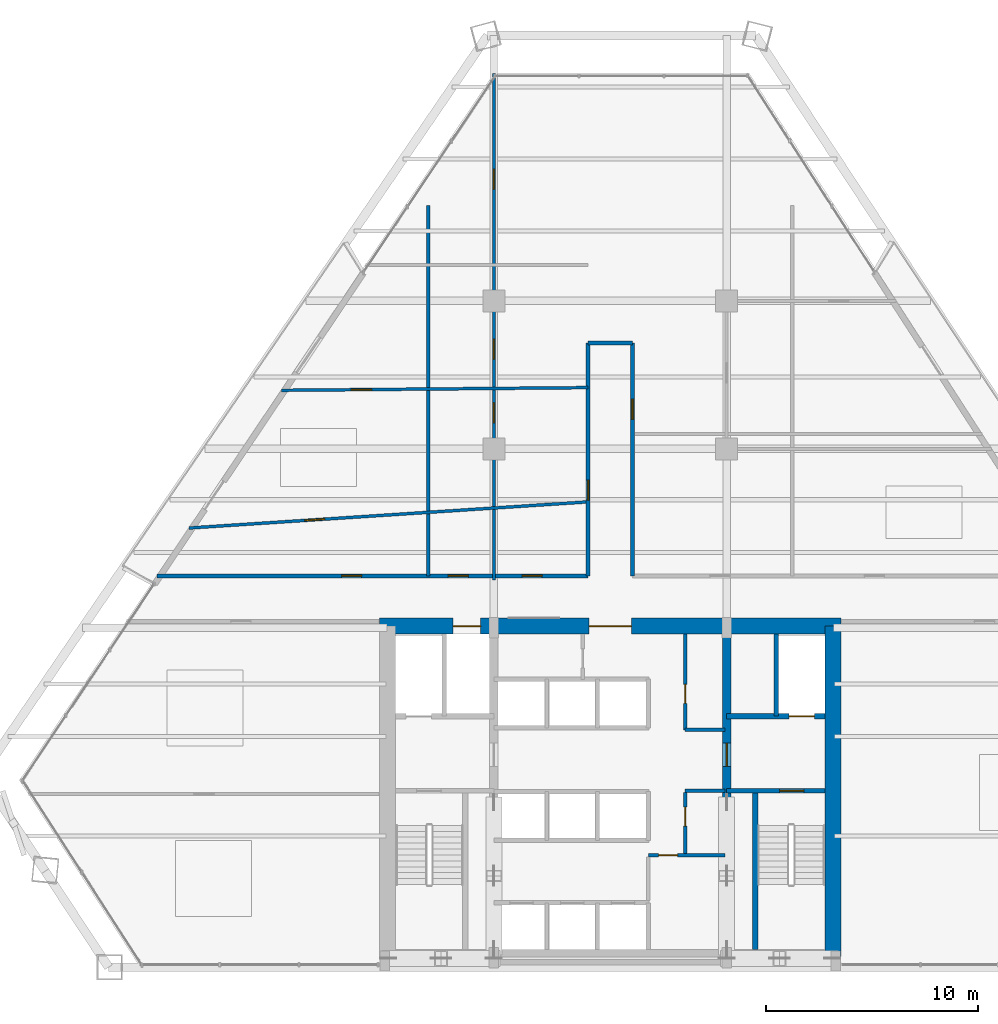
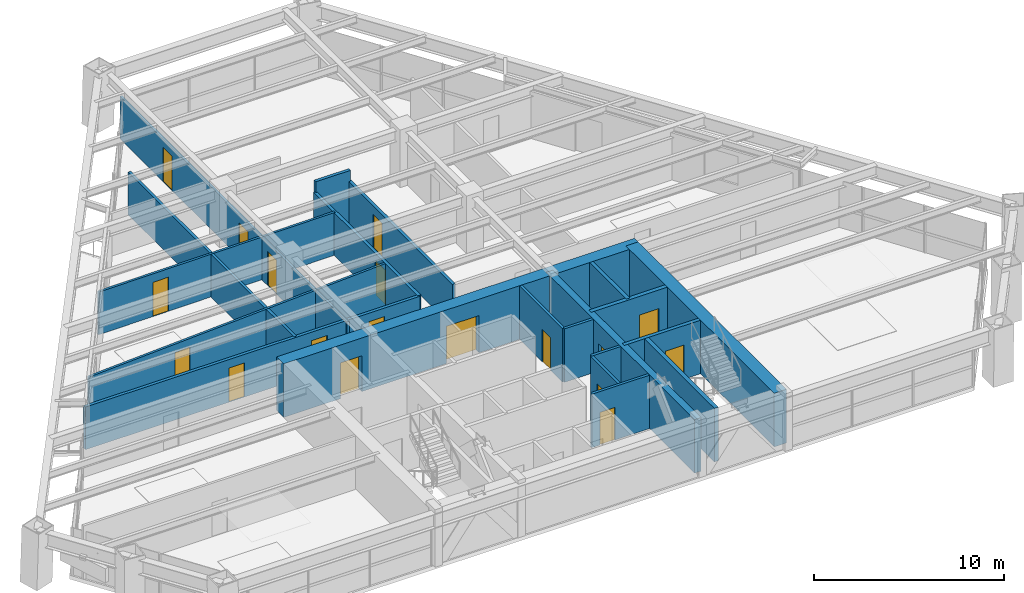
# One storey, part 11 of 14: 20 walls, 18 doors, 18 openings.
"""IFC4 building model written with IfcOpenShell, lengths in metres."""

from ifc_helpers import new_model, si_unit, direction, frame, frame_2d, origin, place, context, subcontext, project, spatial, rectangle, extrude, source, transform, mapped, material, layer, layer_set, type_object, type_shapes, element, fill, save


model = new_model("IFC4")

# Units and contexts
model_context = context("Model", 3, precision=1e-05, world=origin(), true_north=direction((0.0, 1.0)))
body_context = subcontext(model_context, "Body", "Model", "MODEL_VIEW")
ifc_project = project(units=[si_unit("LENGTHUNIT", "METRE"), si_unit("AREAUNIT", "SQUARE_METRE"), si_unit("VOLUMEUNIT", "CUBIC_METRE"), si_unit("PLANEANGLEUNIT", "RADIAN"), si_unit("MASSUNIT", "GRAM", prefix="KILO")], contexts=[model_context])

# Site, building, storey
site_placement = place(None, origin())
site = spatial("IfcSite", under=ifc_project, at=site_placement, CompositionType="ELEMENT")
building_placement = place(site_placement, origin())
building = spatial("IfcBuilding", under=site, at=building_placement, Name="Varnakhor Terracotta Tower", CompositionType="ELEMENT")
storey_placement = place(building_placement, frame((0.0, 0.0, 98.800048828125)))
storey = spatial("IfcBuildingStorey", under=building, at=storey_placement, Name="L24", CompositionType="ELEMENT", Elevation=98.800048828125)

# Wall, openings, doors
ifc_material_1 = material(Name="Concrete C60/75", Category="concrete")
ifc_layer_1 = layer(ifc_material_1, 0.75, Name="Concrete C60/75")
ifc_layer_set_1 = layer_set([ifc_layer_1], Name="Concrete C60/75")
wall_type_1 = type_object("IfcWallType", Name="WAL-CORE-750", PredefinedType="SHEAR", material=ifc_layer_set_1)
wall_1_placement = place(storey_placement, frame((-10.89990234375, 16.125, 0.0), z_axis=(0.0, 0.0, 1.0), x_axis=(1.0, 0.0, 0.0)))
wall_1 = element("IfcWall", 1, at=wall_1_placement, inside=storey, type_object=wall_type_1, Name="L24 North Core Shear Wall", PredefinedType="SHEAR", context=body_context, shape_type="SweptSolid", body=[
    extrude(rectangle(XDim=21.7998046875, YDim=0.75, at=frame_2d((10.89990234375, 0.0))), origin(), (0.0, 0.0, 1.0), 3.449951171875),
])
opening_1_placement = place(wall_1_placement, frame((3.469970703125, 0.0, 0.0)))
opening_1 = element("IfcOpeningElement", 2, at=opening_1_placement, cuts=wall_1, Name="Opening LD-03", PredefinedType="OPENING", context=body_context, shape_type="SweptSolid", body=[
    extrude(rectangle(XDim=1.300048828125, YDim=2.300048828125, at=frame_2d((0.64990234375, 1.14990234375))), frame((0.0, 0.385009765625, 0.0), z_axis=(0.0, -1.0, 0.0), x_axis=(1.0, 0.0, 0.0)), (0.0, 0.0, 1.0), 0.77001953125),
])
opening_2_placement = place(wall_1_placement, frame((9.89990234375, 0.0, 0.0)))
opening_2 = element("IfcOpeningElement", 3, at=opening_2_placement, cuts=wall_1, Name="Opening DR-32", PredefinedType="OPENING", context=body_context, shape_type="SweptSolid", body=[
    extrude(rectangle(XDim=2.0, YDim=2.39990234375, at=frame_2d((1.0, 1.199951171875))), frame((0.0, 0.385009765625, 0.0), z_axis=(0.0, -1.0, 0.0), x_axis=(1.0, 0.0, 0.0)), (0.0, 0.0, 1.0), 0.77001953125),
])
ifc_material_2 = material(Name="Heavy-Duty Goods Sliding Lift Landing Door", Category="steel")
door_type_1 = type_object("IfcDoorType", Name="LD-SRV-1300X2300", OperationType="NOTDEFINED", PredefinedType="DOOR", material=ifc_material_2)
shared_shape_1 = source(origin(), body_context, "Body", "SweptSolid", [
    extrude(rectangle(XDim=1.300048828125, YDim=2.300048828125, at=frame_2d((0.64990234375, 1.14990234375))), frame((0.0, 0.02490234375, 0.0), z_axis=(0.0, -1.0, 0.0), x_axis=(1.0, 0.0, 0.0)), (0.0, 0.0, 1.0), 0.050048828125),
])
type_shapes(door_type_1, [shared_shape_1])
door_1_placement = place(opening_1_placement, origin())
door_1 = element("IfcDoor", 4, at=door_1_placement, inside=storey, type_object=door_type_1, Name="L24 Service Lift SVL-1 Landing Door", OperationType="SLIDING_TO_RIGHT", OverallHeight=2.300048828125, OverallWidth=1.300048828125, PredefinedType="DOOR", context=body_context, shape_type="MappedRepresentation", body=[
    mapped(shared_shape_1, transform((0.0, 0.0, 0.0), scale=1.0)),
])
fill(opening_1, door_1)
ifc_material_3 = material(Name="Acoustic Double Assembly Fire Door", Category="wood")
door_type_2 = type_object("IfcDoorType", Name="DR-HALL-2000X2400", OperationType="NOTDEFINED", PredefinedType="DOOR", material=ifc_material_3)
shared_shape_2 = source(origin(), body_context, "Body", "SweptSolid", [
    extrude(rectangle(XDim=2.0, YDim=2.39990234375, at=frame_2d((1.0, 1.199951171875))), frame((0.0, 0.02490234375, 0.0), z_axis=(0.0, -1.0, 0.0), x_axis=(1.0, 0.0, 0.0)), (0.0, 0.0, 1.0), 0.050048828125),
])
type_shapes(door_type_2, [shared_shape_2])
door_2_placement = place(opening_2_placement, origin())
door_2 = element("IfcDoor", 5, at=door_2_placement, inside=storey, type_object=door_type_2, Name="L24 Core Main Lobby Double Door", OperationType="DOUBLE_DOOR_SINGLE_SWING", OverallHeight=2.39990234375, OverallWidth=2.0, PredefinedType="DOOR", context=body_context, shape_type="MappedRepresentation", body=[
    mapped(shared_shape_2, transform((0.0, 0.0, 0.0), scale=1.0)),
])
fill(opening_2, door_2)

# Wall
wall_2_placement = place(storey_placement, frame((10.52490234375, 0.47509765625, 0.0), z_axis=(0.0, 0.0, 1.0), x_axis=(0.0, 1.0, 0.0)))
element("IfcWall", 6, at=wall_2_placement, inside=storey, type_object=wall_type_1, Name="L24 East Core Shear Wall", PredefinedType="SHEAR", context=body_context, shape_type="SweptSolid", body=[
    extrude(rectangle(XDim=15.64990234375, YDim=0.75, at=frame_2d((7.824951171875, 0.0))), origin(), (0.0, 0.0, 1.0), 3.449951171875),
])

# Wall, opening, door
ifc_material_4 = material(Name="Concrete C50/60", Category="concrete")
ifc_layer_2 = layer(ifc_material_4, 0.39990234375, Name="Concrete C50/60")
ifc_layer_set_2 = layer_set([ifc_layer_2], Name="Concrete C50/60")
wall_type_2 = type_object("IfcWallType", Name="WAL-CORE-WEB-400", PredefinedType="SHEAR", material=ifc_layer_set_2)
wall_3_placement = place(storey_placement, frame((5.5, 0.47509765625, 0.0), z_axis=(0.0, 0.0, 1.0), x_axis=(0.0, 1.0, 0.0)))
wall_3 = element("IfcWall", 7, at=wall_3_placement, inside=storey, type_object=wall_type_2, Name="L24 East Core Web Shear Wall", PredefinedType="SHEAR", context=body_context, shape_type="SweptSolid", body=[
    extrude(rectangle(XDim=15.64990234375, YDim=0.39990234375, at=frame_2d((7.824951171875, 0.0))), origin(), (0.0, 0.0, 1.0), 3.449951171875),
])
opening_3_placement = place(wall_3_placement, frame((9.02490234375, 0.0, 0.0)))
opening_3 = element("IfcOpeningElement", 8, at=opening_3_placement, cuts=wall_3, Name="Opening DR-25", PredefinedType="OPENING", context=body_context, shape_type="SweptSolid", body=[
    extrude(rectangle(XDim=1.10009765625, YDim=2.199951171875, at=frame_2d((0.550048828125, 1.10009765625))), frame((0.0, 0.2099609375, 0.0), z_axis=(0.0, -1.0, 0.0), x_axis=(1.0, 0.0, 0.0)), (0.0, 0.0, 1.0), 0.419921875),
])
ifc_material_5 = material(Name="Firefighting Lobby Self-Closing Fire Door", Category="steel")
door_type_3 = type_object("IfcDoorType", Name="DR-FFL-1100X2200", OperationType="NOTDEFINED", PredefinedType="DOOR", material=ifc_material_5)
shared_shape_3 = source(origin(), body_context, "Body", "SweptSolid", [
    extrude(rectangle(XDim=1.10009765625, YDim=2.199951171875, at=frame_2d((0.550048828125, 1.10009765625))), frame((0.0, 0.02490234375, 0.0), z_axis=(0.0, -1.0, 0.0), x_axis=(1.0, 0.0, 0.0)), (0.0, 0.0, 1.0), 0.050048828125),
])
type_shapes(door_type_3, [shared_shape_3])
door_3_placement = place(opening_3_placement, origin())
door_3 = element("IfcDoor", 9, at=door_3_placement, inside=storey, type_object=door_type_3, Name="L24 East Firefighting Lobby Door", OperationType="SINGLE_SWING_RIGHT", OverallHeight=2.199951171875, OverallWidth=1.10009765625, PredefinedType="DOOR", context=body_context, shape_type="MappedRepresentation", body=[
    mapped(shared_shape_3, transform((0.0, 0.0, 0.0), scale=1.0)),
])
fill(opening_3, door_3)

# Wall, openings, doors
ifc_material_6 = material(Name="Fire-Rated Gypsum Stud Partition", Category="gypsum")
ifc_layer_3 = layer(ifc_material_6, 0.18505859375, Name="Fire-Rated Gypsum Stud Partition")
ifc_layer_set_3 = layer_set([ifc_layer_3], Name="Fire-Rated Gypsum Stud Partition")
wall_type_3 = type_object("IfcWallType", Name="WAL-CORR-185", PredefinedType="PARTITIONING", material=ifc_layer_set_3)
wall_4_placement = place(storey_placement, frame((-21.43359375, 18.5, 0.0), z_axis=(0.0, 0.0, 1.0), x_axis=(1.0, 0.0, 0.0)))
wall_4 = element("IfcWall", 10, at=wall_4_placement, inside=storey, type_object=wall_type_3, Name="L24 Corridor North West Wall", PredefinedType="PARTITIONING", context=body_context, shape_type="SweptSolid", body=[
    extrude(rectangle(XDim=20.383544921875, YDim=0.18505859375, at=frame_2d((10.19189453125, 0.0))), origin(), (0.0, 0.0, 1.0), 2.7470703125),
])
opening_4_placement = place(wall_4_placement, frame((8.731689453125, 0.0, 0.0)))
opening_4 = element("IfcOpeningElement", 11, at=opening_4_placement, cuts=wall_4, Name="Opening DR-94", PredefinedType="OPENING", context=body_context, shape_type="SweptSolid", body=[
    extrude(rectangle(XDim=0.949951171875, YDim=2.199951171875, at=frame_2d((0.47509765625, 1.10009765625))), frame((0.0, 0.1025390625, 0.0), z_axis=(0.0, -1.0, 0.0), x_axis=(1.0, 0.0, 0.0)), (0.0, 0.0, 1.0), 0.205078125),
])
opening_5_placement = place(wall_4_placement, frame((13.77490234375, 0.0, 0.0)))
opening_5 = element("IfcOpeningElement", 12, at=opening_5_placement, cuts=wall_4, Name="Opening DR-94", PredefinedType="OPENING", context=body_context, shape_type="SweptSolid", body=[
    extrude(rectangle(XDim=0.949951171875, YDim=2.199951171875, at=frame_2d((0.47509765625, 1.10009765625))), frame((0.0, 0.1025390625, 0.0), z_axis=(0.0, -1.0, 0.0), x_axis=(1.0, 0.0, 0.0)), (0.0, 0.0, 1.0), 0.205078125),
])
opening_6_placement = place(wall_4_placement, frame((17.264892578125, 0.0, 0.0)))
opening_6 = element("IfcOpeningElement", 13, at=opening_6_placement, cuts=wall_4, Name="Opening DR-94", PredefinedType="OPENING", context=body_context, shape_type="SweptSolid", body=[
    extrude(rectangle(XDim=0.949951171875, YDim=2.199951171875, at=frame_2d((0.47509765625, 1.10009765625))), frame((0.0, 0.1025390625, 0.0), z_axis=(0.0, -1.0, 0.0), x_axis=(1.0, 0.0, 0.0)), (0.0, 0.0, 1.0), 0.205078125),
])
ifc_material_7 = material(Name="Acoustic Glazed-Vision Timber Office Door", Category="wood")
door_type_4 = type_object("IfcDoorType", Name="DR-OFF-950X2200", OperationType="NOTDEFINED", PredefinedType="DOOR", material=ifc_material_7)
shared_shape_4 = source(origin(), body_context, "Body", "SweptSolid", [
    extrude(rectangle(XDim=0.949951171875, YDim=2.199951171875, at=frame_2d((0.47509765625, 1.10009765625))), frame((0.0, 0.02490234375, 0.0), z_axis=(0.0, -1.0, 0.0), x_axis=(1.0, 0.0, 0.0)), (0.0, 0.0, 1.0), 0.050048828125),
])
type_shapes(door_type_4, [shared_shape_4])
door_4_placement = place(opening_4_placement, origin())
door_4 = element("IfcDoor", 14, at=door_4_placement, inside=storey, type_object=door_type_4, Name="L24 West Workplace Door", OperationType="SINGLE_SWING_LEFT", OverallHeight=2.199951171875, OverallWidth=0.949951171875, PredefinedType="DOOR", context=body_context, shape_type="MappedRepresentation", body=[
    mapped(shared_shape_4, transform((0.0, 0.0, 0.0), scale=1.0)),
])
fill(opening_4, door_4)
door_5_placement = place(opening_5_placement, origin())
door_5 = element("IfcDoor", 15, at=door_5_placement, inside=storey, type_object=door_type_4, Name="L24 Breakout Tea Room B6 Door", OperationType="SINGLE_SWING_RIGHT", OverallHeight=2.199951171875, OverallWidth=0.949951171875, PredefinedType="DOOR", context=body_context, shape_type="MappedRepresentation", body=[
    mapped(shared_shape_4, transform((0.0, 0.0, 0.0), scale=1.0)),
])
fill(opening_5, door_5)
door_6_placement = place(opening_6_placement, origin())
door_6 = element("IfcDoor", 16, at=door_6_placement, inside=storey, type_object=door_type_4, Name="L24 Admin Office B7 Door", OperationType="SINGLE_SWING_LEFT", OverallHeight=2.199951171875, OverallWidth=0.949951171875, PredefinedType="DOOR", context=body_context, shape_type="MappedRepresentation", body=[
    mapped(shared_shape_4, transform((0.0, 0.0, 0.0), scale=1.0)),
])
fill(opening_6, door_6)

# Wall, opening, door
wall_5_placement = place(storey_placement, frame((-1.050048828125, 18.5, 0.0), z_axis=(0.0, 0.0, 1.0), x_axis=(0.0, 1.0, 0.0)))
wall_5 = element("IfcWall", 17, at=wall_5_placement, inside=storey, type_object=wall_type_3, Name="L24 Spine West Wall", PredefinedType="PARTITIONING", context=body_context, shape_type="SweptSolid", body=[
    extrude(rectangle(XDim=11.0, YDim=0.18505859375, at=frame_2d((5.5, 0.0))), origin(), (0.0, 0.0, 1.0), 2.7470703125),
])
opening_7_placement = place(wall_5_placement, frame((3.580078125, 0.0, 0.0)))
opening_7 = element("IfcOpeningElement", 18, at=opening_7_placement, cuts=wall_5, Name="Opening DR-94", PredefinedType="OPENING", context=body_context, shape_type="SweptSolid", body=[
    extrude(rectangle(XDim=0.949951171875, YDim=2.199951171875, at=frame_2d((0.47509765625, 1.10009765625))), frame((0.0, 0.1025390625, 0.0), z_axis=(0.0, -1.0, 0.0), x_axis=(1.0, 0.0, 0.0)), (0.0, 0.0, 1.0), 0.205078125),
])
door_7_placement = place(opening_7_placement, origin())
door_7 = element("IfcDoor", 19, at=door_7_placement, inside=storey, type_object=door_type_4, Name="L24 Spine West Door", OperationType="SINGLE_SWING_LEFT", OverallHeight=2.199951171875, OverallWidth=0.949951171875, PredefinedType="DOOR", context=body_context, shape_type="MappedRepresentation", body=[
    mapped(shared_shape_4, transform((0.0, 0.0, 0.0), scale=1.0)),
])
fill(opening_7, door_7)

wall_6_placement = place(storey_placement, frame((1.050048828125, 18.5, 0.0), z_axis=(0.0, 0.0, 1.0), x_axis=(0.0, 1.0, 0.0)))
wall_6 = element("IfcWall", 20, at=wall_6_placement, inside=storey, type_object=wall_type_3, Name="L24 Spine East Wall", PredefinedType="PARTITIONING", context=body_context, shape_type="SweptSolid", body=[
    extrude(rectangle(XDim=11.0, YDim=0.18505859375, at=frame_2d((5.5, 0.0))), origin(), (0.0, 0.0, 1.0), 2.7470703125),
])
opening_8_placement = place(wall_6_placement, frame((7.402587890625, 0.0, 0.0)))
opening_8 = element("IfcOpeningElement", 21, at=opening_8_placement, cuts=wall_6, Name="Opening DR-94", PredefinedType="OPENING", context=body_context, shape_type="SweptSolid", body=[
    extrude(rectangle(XDim=0.949951171875, YDim=2.199951171875, at=frame_2d((0.47509765625, 1.10009765625))), frame((0.0, 0.1025390625, 0.0), z_axis=(0.0, -1.0, 0.0), x_axis=(1.0, 0.0, 0.0)), (0.0, 0.0, 1.0), 0.205078125),
])
door_8_placement = place(opening_8_placement, origin())
door_8 = element("IfcDoor", 22, at=door_8_placement, inside=storey, type_object=door_type_4, Name="L24 Spine East Door", OperationType="SINGLE_SWING_RIGHT", OverallHeight=2.199951171875, OverallWidth=0.949951171875, PredefinedType="DOOR", context=body_context, shape_type="MappedRepresentation", body=[
    mapped(shared_shape_4, transform((0.0, 0.0, 0.0), scale=1.0)),
])
fill(opening_8, door_8)

# Wall
wall_7_placement = place(storey_placement, frame((-1.050048828125, 29.5, 0.0), z_axis=(0.0, 0.0, 1.0), x_axis=(1.0, 0.0, 0.0)))
element("IfcWall", 23, at=wall_7_placement, inside=storey, type_object=wall_type_3, Name="L24 Spine North End Wall", PredefinedType="PARTITIONING", context=body_context, shape_type="SweptSolid", body=[
    extrude(rectangle(XDim=2.10009765625, YDim=0.18505859375, at=frame_2d((1.050048828125, 0.0))), origin(), (0.0, 0.0, 1.0), 3.44189453125),
])

# Wall, opening, door
ifc_material_8 = material(Name="Concrete C40/50", Category="concrete")
ifc_layer_4 = layer(ifc_material_8, 0.219970703125, Name="Concrete C40/50")
ifc_layer_set_4 = layer_set([ifc_layer_4], Name="Concrete C40/50")
wall_type_4 = type_object("IfcWallType", Name="WAL-FFLOBBY-220", PredefinedType="SOLIDWALL", material=ifc_layer_set_4)
wall_8_placement = place(storey_placement, frame((10.14990234375, 8.35009765625, 0.0), z_axis=(0.0, 0.0, 1.0), x_axis=(-1.0, 0.0, 0.0)))
wall_8 = element("IfcWall", 24, at=wall_8_placement, inside=storey, type_object=wall_type_4, Name="L24 East Firefighting Lobby Stair Wall", PredefinedType="SOLIDWALL", context=body_context, shape_type="SweptSolid", body=[
    extrude(rectangle(XDim=4.64990234375, YDim=0.219970703125, at=frame_2d((2.324951171875, 0.0))), origin(), (0.0, 0.0, 1.0), 3.449951171875),
])
opening_9_placement = place(wall_8_placement, frame((1.0, 0.0, 0.0)))
opening_9 = element("IfcOpeningElement", 25, at=opening_9_placement, cuts=wall_8, Name="Opening DR-34", PredefinedType="OPENING", context=body_context, shape_type="SweptSolid", body=[
    extrude(rectangle(XDim=1.14990234375, YDim=2.199951171875, at=frame_2d((0.574951171875, 1.10009765625))), frame((0.0, 0.1201171875, 0.0), z_axis=(0.0, -1.0, 0.0), x_axis=(1.0, 0.0, 0.0)), (0.0, 0.0, 1.0), 0.239990234375),
])
ifc_material_9 = material(Name="Self-Closing Smoke-Sealed Steel Fire Door", Category="steel")
door_type_5 = type_object("IfcDoorType", Name="DR-STAIR-1150X2200", OperationType="NOTDEFINED", PredefinedType="DOOR", material=ifc_material_9)
shared_shape_5 = source(origin(), body_context, "Body", "SweptSolid", [
    extrude(rectangle(XDim=1.14990234375, YDim=2.199951171875, at=frame_2d((0.574951171875, 1.10009765625))), frame((0.0, 0.02490234375, 0.0), z_axis=(0.0, -1.0, 0.0), x_axis=(1.0, 0.0, 0.0)), (0.0, 0.0, 1.0), 0.050048828125),
])
type_shapes(door_type_5, [shared_shape_5])
door_9_placement = place(opening_9_placement, origin())
door_9 = element("IfcDoor", 26, at=door_9_placement, inside=storey, type_object=door_type_5, Name="L24 Exit Stair ST-2 Fire Door", OperationType="SINGLE_SWING_LEFT", OverallHeight=2.199951171875, OverallWidth=1.14990234375, PredefinedType="DOOR", context=body_context, shape_type="MappedRepresentation", body=[
    mapped(shared_shape_5, transform((0.0, 0.0, 0.0), scale=1.0)),
])
fill(opening_9, door_9)

# Wall, openings, doors
ifc_material_10 = material(Name="Acoustic Metal-Stud Partition", Category="gypsum")
ifc_layer_5 = layer(ifc_material_10, 0.139892578125, Name="Acoustic Metal-Stud Partition")
ifc_layer_set_5 = layer_set([ifc_layer_5], Name="Acoustic Metal-Stud Partition")
wall_type_5 = type_object("IfcWallType", Name="WAL-PART-140", PredefinedType="PARTITIONING", material=ifc_layer_set_5)
wall_9_placement = place(storey_placement, frame((-5.5, 18.300048828125, 0.0), z_axis=(0.0, 0.0, 1.0), x_axis=(0.0, 1.0, 0.0)))
wall_9 = element("IfcWall", 27, at=wall_9_placement, inside=storey, type_object=wall_type_5, Name="L24 West Full Column Wall", PredefinedType="PARTITIONING", context=body_context, shape_type="SweptSolid", body=[
    extrude(rectangle(XDim=23.9375, YDim=0.139892578125, at=frame_2d((11.96875, 0.0))), origin(), (0.0, 0.0, 1.0), 2.7470703125),
])
opening_10_placement = place(wall_9_placement, frame((7.4306640625, 0.0, 0.0)))
opening_10 = element("IfcOpeningElement", 28, at=opening_10_placement, cuts=wall_9, Name="Opening DR-94", PredefinedType="OPENING", context=body_context, shape_type="SweptSolid", body=[
    extrude(rectangle(XDim=0.949951171875, YDim=2.199951171875, at=frame_2d((0.47509765625, 1.10009765625))), frame((0.0, 0.080078125, 0.0), z_axis=(0.0, -1.0, 0.0), x_axis=(1.0, 0.0, 0.0)), (0.0, 0.0, 1.0), 0.159912109375),
])
opening_11_placement = place(wall_9_placement, frame((10.443603515625, 0.0, 0.0)))
opening_11 = element("IfcOpeningElement", 29, at=opening_11_placement, cuts=wall_9, Name="Opening DR-94", PredefinedType="OPENING", context=body_context, shape_type="SweptSolid", body=[
    extrude(rectangle(XDim=0.949951171875, YDim=2.199951171875, at=frame_2d((0.47509765625, 1.10009765625))), frame((0.0, 0.080078125, 0.0), z_axis=(0.0, -1.0, 0.0), x_axis=(1.0, 0.0, 0.0)), (0.0, 0.0, 1.0), 0.159912109375),
])
opening_12_placement = place(wall_9_placement, frame((18.478759765625, 0.0, 0.0)))
opening_12 = element("IfcOpeningElement", 30, at=opening_12_placement, cuts=wall_9, Name="Opening DR-94", PredefinedType="OPENING", context=body_context, shape_type="SweptSolid", body=[
    extrude(rectangle(XDim=0.949951171875, YDim=2.199951171875, at=frame_2d((0.47509765625, 1.10009765625))), frame((0.0, 0.080078125, 0.0), z_axis=(0.0, -1.0, 0.0), x_axis=(1.0, 0.0, 0.0)), (0.0, 0.0, 1.0), 0.159912109375),
])
door_10_placement = place(opening_10_placement, origin())
door_10 = element("IfcDoor", 31, at=door_10_placement, inside=storey, type_object=door_type_4, Name="L24 Research Studio E1 B11 Door", OperationType="SINGLE_SWING_RIGHT", OverallHeight=2.199951171875, OverallWidth=0.949951171875, PredefinedType="DOOR", context=body_context, shape_type="MappedRepresentation", body=[
    mapped(shared_shape_4, transform((0.0, 0.0, 0.0), scale=1.0)),
])
fill(opening_10, door_10)
door_11_placement = place(opening_11_placement, origin())
door_11 = element("IfcDoor", 32, at=door_11_placement, inside=storey, type_object=door_type_4, Name="L24 Executive Suite North B16 Door", OperationType="SINGLE_SWING_LEFT", OverallHeight=2.199951171875, OverallWidth=0.949951171875, PredefinedType="DOOR", context=body_context, shape_type="MappedRepresentation", body=[
    mapped(shared_shape_4, transform((0.0, 0.0, 0.0), scale=1.0)),
])
fill(opening_11, door_11)
door_12_placement = place(opening_12_placement, origin())
door_12 = element("IfcDoor", 33, at=door_12_placement, inside=storey, type_object=door_type_4, Name="L24 Quantitative Office W2 B18 Door", OperationType="SINGLE_SWING_RIGHT", OverallHeight=2.199951171875, OverallWidth=0.949951171875, PredefinedType="DOOR", context=body_context, shape_type="MappedRepresentation", body=[
    mapped(shared_shape_4, transform((0.0, 0.0, 0.0), scale=1.0)),
])
fill(opening_12, door_12)

# Wall, opening, door
wall_10_placement = place(storey_placement, frame((-19.914306640625, 20.76318359375, 0.0), z_axis=(0.0, 0.0, 1.0), x_axis=(0.997857584866, 0.065423545645, 0.0)))
wall_10 = element("IfcWall", 34, at=wall_10_placement, inside=storey, type_object=wall_type_5, Name="L24 West Wing Cut 1", PredefinedType="PARTITIONING", context=body_context, shape_type="SweptSolid", body=[
    extrude(rectangle(XDim=18.90478515625, YDim=0.139892578125, at=frame_2d((9.452392578125, 0.0))), origin(), (0.0, 0.0, 1.0), 2.7470703125),
])
opening_13_placement = place(wall_10_placement, frame((5.477783203125, 0.0, 0.0)))
opening_13 = element("IfcOpeningElement", 35, at=opening_13_placement, cuts=wall_10, Name="Opening DR-94", PredefinedType="OPENING", context=body_context, shape_type="SweptSolid", body=[
    extrude(rectangle(XDim=0.949951171875, YDim=2.199951171875, at=frame_2d((0.47509765625, 1.10009765625))), frame((0.0, 0.080078125, 0.0), z_axis=(0.0, -1.0, 0.0), x_axis=(1.0, 0.0, 0.0)), (0.0, 0.0, 1.0), 0.159912109375),
])
door_13_placement = place(opening_13_placement, origin())
door_13 = element("IfcDoor", 36, at=door_13_placement, inside=storey, type_object=door_type_4, Name="L24 Research Studio E1 Door", OperationType="SINGLE_SWING_LEFT", OverallHeight=2.199951171875, OverallWidth=0.949951171875, PredefinedType="DOOR", context=body_context, shape_type="MappedRepresentation", body=[
    mapped(shared_shape_4, transform((0.0, 0.0, 0.0), scale=1.0)),
])
fill(opening_13, door_13)

wall_11_placement = place(storey_placement, frame((-15.54541015625, 27.27197265625, 0.0), z_axis=(0.0, 0.0, 1.0), x_axis=(0.999961057016, 0.008825216746, 0.0)))
wall_11 = element("IfcWall", 37, at=wall_11_placement, inside=storey, type_object=wall_type_5, Name="L24 West Wing Cut 2", PredefinedType="PARTITIONING", context=body_context, shape_type="SweptSolid", body=[
    extrude(rectangle(XDim=14.495849609375, YDim=0.139892578125, at=frame_2d((7.248046875, 0.0))), origin(), (0.0, 0.0, 1.0), 2.7470703125),
])
opening_14_placement = place(wall_11_placement, frame((3.31396484375, 0.0, 0.0)))
opening_14 = element("IfcOpeningElement", 38, at=opening_14_placement, cuts=wall_11, Name="Opening DR-94", PredefinedType="OPENING", context=body_context, shape_type="SweptSolid", body=[
    extrude(rectangle(XDim=0.949951171875, YDim=2.199951171875, at=frame_2d((0.47509765625, 1.10009765625))), frame((0.0, 0.080078125, 0.0), z_axis=(0.0, -1.0, 0.0), x_axis=(1.0, 0.0, 0.0)), (0.0, 0.0, 1.0), 0.159912109375),
])
door_14_placement = place(opening_14_placement, origin())
door_14 = element("IfcDoor", 39, at=door_14_placement, inside=storey, type_object=door_type_4, Name="L24 Project Huddle Room Door", OperationType="SINGLE_SWING_LEFT", OverallHeight=2.199951171875, OverallWidth=0.949951171875, PredefinedType="DOOR", context=body_context, shape_type="MappedRepresentation", body=[
    mapped(shared_shape_4, transform((0.0, 0.0, 0.0), scale=1.0)),
])
fill(opening_14, door_14)

# Walls
ifc_layer_6 = layer(ifc_material_8, 0.219970703125, Name="Concrete C40/50")
ifc_layer_set_6 = layer_set([ifc_layer_6], Name="Concrete C40/50")
wall_type_6 = type_object("IfcWallType", Name="WAL-SHAFT-220", PredefinedType="SOLIDWALL", material=ifc_layer_set_6)
wall_12_placement = place(storey_placement, frame((7.840087890625, 11.8701171875, 0.0), z_axis=(0.0, 0.0, 1.0), x_axis=(0.0, 1.0, 0.0)))
element("IfcWall", 40, at=wall_12_placement, inside=storey, type_object=wall_type_6, Name="L24 Lift FFL-2 and Riser Divider Wall", PredefinedType="SOLIDWALL", context=body_context, shape_type="SweptSolid", body=[
    extrude(rectangle(XDim=3.8798828125, YDim=0.219970703125, at=frame_2d((1.93994140625, 0.0))), origin(), (0.0, 0.0, 1.0), 3.449951171875),
])
ifc_layer_7 = layer(ifc_material_8, 0.25, Name="Concrete C40/50")
ifc_layer_set_7 = layer_set([ifc_layer_7], Name="Concrete C40/50")
wall_type_7 = type_object("IfcWallType", Name="WAL-SHAFT-250", PredefinedType="SOLIDWALL", material=ifc_layer_set_7)
wall_13_placement = place(storey_placement, frame((6.85009765625, 0.85009765625, 0.0), z_axis=(0.0, 0.0, 1.0), x_axis=(0.0, 1.0, 0.0)))
element("IfcWall", 41, at=wall_13_placement, inside=storey, type_object=wall_type_7, Name="L24 Stair ST-2 Bearing Shaft Wall", PredefinedType="SOLIDWALL", context=body_context, shape_type="SweptSolid", body=[
    extrude(rectangle(XDim=7.5, YDim=0.25, at=frame_2d((3.75, 0.0))), origin(), (0.0, 0.0, 1.0), 3.449951171875),
])

# Wall, opening, door
wall_14_placement = place(storey_placement, frame((10.14990234375, 11.8701171875, 0.0), z_axis=(0.0, 0.0, 1.0), x_axis=(-1.0, 0.0, 0.0)))
wall_14 = element("IfcWall", 42, at=wall_14_placement, inside=storey, type_object=wall_type_7, Name="L24 Lift FFL-2 Shaft Front Wall", PredefinedType="SOLIDWALL", context=body_context, shape_type="SweptSolid", body=[
    extrude(rectangle(XDim=4.64990234375, YDim=0.25, at=frame_2d((2.324951171875, 0.0))), origin(), (0.0, 0.0, 1.0), 3.449951171875),
])
opening_15_placement = place(wall_14_placement, frame((0.5, 0.0, 0.0)))
opening_15 = element("IfcOpeningElement", 43, at=opening_15_placement, cuts=wall_14, Name="Opening LD-02", PredefinedType="OPENING", context=body_context, shape_type="SweptSolid", body=[
    extrude(rectangle(XDim=1.199951171875, YDim=2.25, at=frame_2d((0.60009765625, 1.125))), frame((0.0, 0.135009765625, 0.0), z_axis=(0.0, -1.0, 0.0), x_axis=(1.0, 0.0, 0.0)), (0.0, 0.0, 1.0), 0.27001953125),
])
ifc_material_11 = material(Name="Firefighting Stretcher Sliding Lift Landing Door", Category="steel")
door_type_6 = type_object("IfcDoorType", Name="LD-FFL-1200X2250", OperationType="NOTDEFINED", PredefinedType="DOOR", material=ifc_material_11)
shared_shape_6 = source(origin(), body_context, "Body", "SweptSolid", [
    extrude(rectangle(XDim=1.199951171875, YDim=2.25, at=frame_2d((0.60009765625, 1.125))), frame((0.0, 0.02490234375, 0.0), z_axis=(0.0, -1.0, 0.0), x_axis=(1.0, 0.0, 0.0)), (0.0, 0.0, 1.0), 0.050048828125),
])
type_shapes(door_type_6, [shared_shape_6])
door_15_placement = place(opening_15_placement, origin())
door_15 = element("IfcDoor", 44, at=door_15_placement, inside=storey, type_object=door_type_6, Name="L24 Firefighting Lift FFL-2 Landing Door", OperationType="SLIDING_TO_RIGHT", OverallHeight=2.25, OverallWidth=1.199951171875, PredefinedType="DOOR", context=body_context, shape_type="MappedRepresentation", body=[
    mapped(shared_shape_6, transform((0.0, 0.0, 0.0), scale=1.0)),
])
fill(opening_15, door_15)

ifc_material_12 = material(Name="Acoustic Fire-Rated Partition", Category="gypsum")
ifc_layer_8 = layer(ifc_material_12, 0.1650390625, Name="Acoustic Fire-Rated Partition")
ifc_layer_set_8 = layer_set([ifc_layer_8], Name="Acoustic Fire-Rated Partition")
wall_type_8 = type_object("IfcWallType", Name="WAL-TENANCY-165", PredefinedType="PARTITIONING", material=ifc_layer_set_8)
wall_15_placement = place(storey_placement, frame((3.5400390625, 5.382568359375, 0.0), z_axis=(0.0, 0.0, 1.0), x_axis=(0.0, 1.0, 0.0)))
wall_15 = element("IfcWall", 45, at=wall_15_placement, inside=storey, type_object=wall_type_8, Name="L24 Core Service Rated Wall", PredefinedType="PARTITIONING", context=body_context, shape_type="SweptSolid", body=[
    extrude(rectangle(XDim=2.875, YDim=0.1650390625, at=frame_2d((1.4375, 0.0))), origin(), (0.0, 0.0, 1.0), 3.44189453125),
])
opening_16_placement = place(wall_15_placement, frame((1.293701171875, 0.0, 0.0)))
opening_16 = element("IfcOpeningElement", 46, at=opening_16_placement, cuts=wall_15, Name="Opening DR-67", PredefinedType="OPENING", context=body_context, shape_type="SweptSolid", body=[
    extrude(rectangle(XDim=0.89990234375, YDim=2.10009765625, at=frame_2d((0.449951171875, 1.050048828125))), frame((0.0, 0.092529296875, 0.0), z_axis=(0.0, -1.0, 0.0), x_axis=(1.0, 0.0, 0.0)), (0.0, 0.0, 1.0), 0.18505859375),
])
ifc_material_13 = material(Name="Steel Service Riser Fire Door", Category="steel")
door_type_7 = type_object("IfcDoorType", Name="DR-RISER-900X2100", OperationType="NOTDEFINED", PredefinedType="DOOR", material=ifc_material_13)
shared_shape_7 = source(origin(), body_context, "Body", "SweptSolid", [
    extrude(rectangle(XDim=0.89990234375, YDim=2.10009765625, at=frame_2d((0.449951171875, 1.050048828125))), frame((0.0, 0.02490234375, 0.0), z_axis=(0.0, -1.0, 0.0), x_axis=(1.0, 0.0, 0.0)), (0.0, 0.0, 1.0), 0.050048828125),
])
type_shapes(door_type_7, [shared_shape_7])
door_16_placement = place(opening_16_placement, origin())
door_16 = element("IfcDoor", 47, at=door_16_placement, inside=storey, type_object=door_type_7, Name="L24 Core Accessible WC Door", OperationType="SINGLE_SWING_RIGHT", OverallHeight=2.10009765625, OverallWidth=0.89990234375, PredefinedType="DOOR", context=body_context, shape_type="MappedRepresentation", body=[
    mapped(shared_shape_7, transform((0.0, 0.0, 0.0), scale=1.0)),
])
fill(opening_16, door_16)

# Wall
wall_16_placement = place(storey_placement, frame((3.5400390625, 8.340087890625, 0.0), z_axis=(0.0, 0.0, 1.0), x_axis=(1.0, 0.0, 0.0)))
element("IfcWall", 48, at=wall_16_placement, inside=storey, type_object=wall_type_8, Name="L24 Accessible WC North Wall", PredefinedType="PARTITIONING", context=body_context, shape_type="SweptSolid", body=[
    extrude(rectangle(XDim=1.8798828125, YDim=0.1650390625, at=frame_2d((0.93994140625, 0.0))), origin(), (0.0, 0.0, 1.0), 3.44189453125),
])

# Wall, opening, door
wall_17_placement = place(storey_placement, frame((1.800048828125, 5.300048828125, 0.0), z_axis=(0.0, 0.0, 1.0), x_axis=(1.0, 0.0, 0.0)))
wall_17 = element("IfcWall", 49, at=wall_17_placement, inside=storey, type_object=wall_type_8, Name="L24 Core South Service Rated Wall", PredefinedType="PARTITIONING", context=body_context, shape_type="SweptSolid", body=[
    extrude(rectangle(XDim=3.619873046875, YDim=0.1650390625, at=frame_2d((1.81005859375, 0.0))), origin(), (0.0, 0.0, 1.0), 3.44189453125),
])
opening_17_placement = place(wall_17_placement, frame((0.47998046875, 0.0, 0.0)))
opening_17 = element("IfcOpeningElement", 50, at=opening_17_placement, cuts=wall_17, Name="Opening DR-67", PredefinedType="OPENING", context=body_context, shape_type="SweptSolid", body=[
    extrude(rectangle(XDim=0.89990234375, YDim=2.10009765625, at=frame_2d((0.449951171875, 1.050048828125))), frame((0.0, 0.092529296875, 0.0), z_axis=(0.0, -1.0, 0.0), x_axis=(1.0, 0.0, 0.0)), (0.0, 0.0, 1.0), 0.18505859375),
])
door_17_placement = place(opening_17_placement, origin())
door_17 = element("IfcDoor", 51, at=door_17_placement, inside=storey, type_object=door_type_7, Name="L24 Core IT Room Door", OperationType="SINGLE_SWING_LEFT", OverallHeight=2.10009765625, OverallWidth=0.89990234375, PredefinedType="DOOR", context=body_context, shape_type="MappedRepresentation", body=[
    mapped(shared_shape_7, transform((0.0, 0.0, 0.0), scale=1.0)),
])
fill(opening_17, door_17)

wall_18_placement = place(storey_placement, frame((3.5400390625, 11.219970703125, 0.0), z_axis=(0.0, 0.0, 1.0), x_axis=(0.0, 1.0, 0.0)))
wall_18 = element("IfcWall", 52, at=wall_18_placement, inside=storey, type_object=wall_type_8, Name="L24 Restroom Corridor Wall", PredefinedType="PARTITIONING", context=body_context, shape_type="SweptSolid", body=[
    extrude(rectangle(XDim=4.530029296875, YDim=0.1650390625, at=frame_2d((2.26513671875, 0.0))), origin(), (0.0, 0.0, 1.0), 3.44189453125),
])
opening_18_placement = place(wall_18_placement, frame((1.25, 0.0, 0.0)))
opening_18 = element("IfcOpeningElement", 53, at=opening_18_placement, cuts=wall_18, Name="Opening DR-67", PredefinedType="OPENING", context=body_context, shape_type="SweptSolid", body=[
    extrude(rectangle(XDim=0.89990234375, YDim=2.10009765625, at=frame_2d((0.449951171875, 1.050048828125))), frame((0.0, 0.092529296875, 0.0), z_axis=(0.0, -1.0, 0.0), x_axis=(1.0, 0.0, 0.0)), (0.0, 0.0, 1.0), 0.18505859375),
])
door_18_placement = place(opening_18_placement, origin())
door_18 = element("IfcDoor", 54, at=door_18_placement, inside=storey, type_object=door_type_7, Name="L24 Female WC Door", OperationType="SINGLE_SWING_RIGHT", OverallHeight=2.10009765625, OverallWidth=0.89990234375, PredefinedType="DOOR", context=body_context, shape_type="MappedRepresentation", body=[
    mapped(shared_shape_7, transform((0.0, 0.0, 0.0), scale=1.0)),
])
fill(opening_18, door_18)

# Walls
wall_19_placement = place(storey_placement, frame((3.5400390625, 11.219970703125, 0.0), z_axis=(0.0, 0.0, 1.0), x_axis=(1.0, 0.0, 0.0)))
element("IfcWall", 55, at=wall_19_placement, inside=storey, type_object=wall_type_8, Name="L24 Restroom South Wall", PredefinedType="PARTITIONING", context=body_context, shape_type="SweptSolid", body=[
    extrude(rectangle(XDim=1.8798828125, YDim=0.1650390625, at=frame_2d((0.93994140625, 0.0))), origin(), (0.0, 0.0, 1.0), 3.44189453125),
])
wall_20_placement = place(storey_placement, frame((-8.60009765625, 18.5, 0.0), z_axis=(0.0, 0.0, 1.0), x_axis=(0.0, 1.0, 0.0)))
element("IfcWall", 56, at=wall_20_placement, inside=storey, type_object=wall_type_8, Name="L24 West Cellular Line", PredefinedType="PARTITIONING", context=body_context, shape_type="SweptSolid", body=[
    extrude(rectangle(XDim=17.5, YDim=0.1650390625, at=frame_2d((8.75, 0.0))), origin(), (0.0, 0.0, 1.0), 2.7470703125),
])

save(model, "model.ifc")
